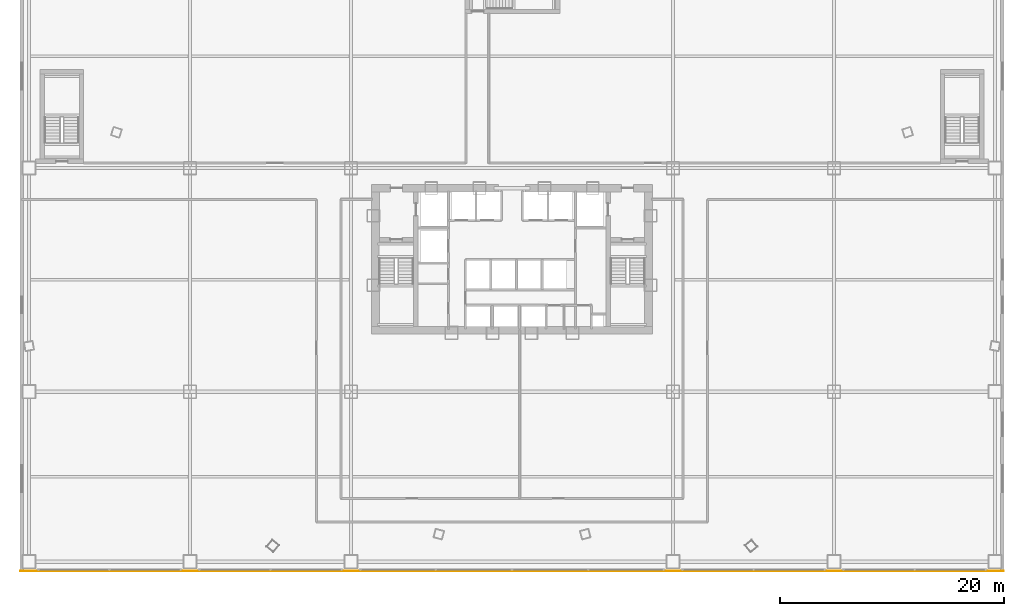
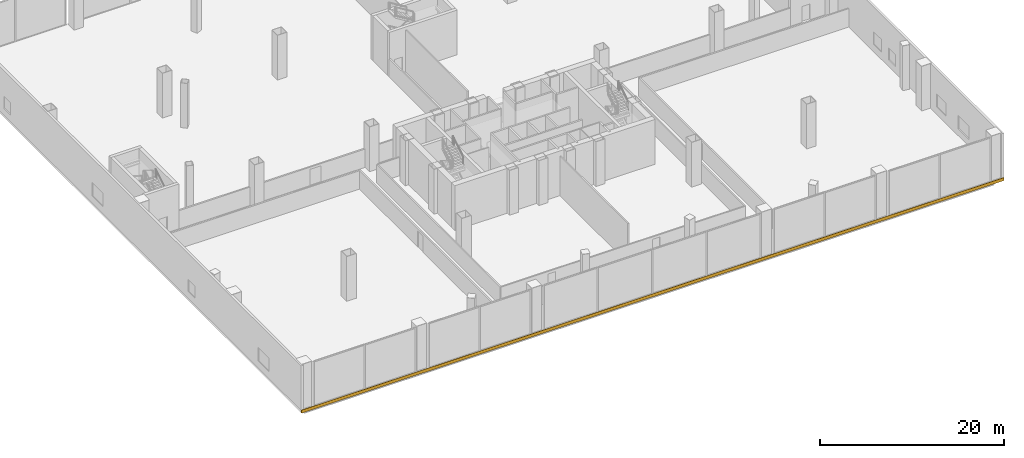
# One storey, part 38 of 41: 1 covering.
"""IFC4 building model written with IfcOpenShell, lengths in metres."""

from ifc_helpers import new_model, si_unit, direction, frame, origin, origin_2d, place, context, subcontext, project, spatial, rectangle, extrude, source, transform, mapped, material, layer, layer_set, type_object, element, save


model = new_model("IFC4")

# Units and contexts
model_context = context("Model", 3, precision=1e-05, world=origin(), true_north=direction((0.0, 1.0)))
body_context = subcontext(model_context, "Body", "Model", "MODEL_VIEW")
ifc_project = project(units=[si_unit("LENGTHUNIT", "METRE"), si_unit("AREAUNIT", "SQUARE_METRE"), si_unit("VOLUMEUNIT", "CUBIC_METRE"), si_unit("PLANEANGLEUNIT", "RADIAN"), si_unit("MASSUNIT", "GRAM", prefix="KILO"), si_unit("THERMODYNAMICTEMPERATUREUNIT", "KELVIN"), si_unit("POWERUNIT", "WATT")], contexts=[model_context])

# Site, building, storey
site_placement = place(None, origin())
site = spatial("IfcSite", under=ifc_project, at=site_placement, CompositionType="ELEMENT")
building_placement = place(site_placement, origin())
building = spatial("IfcBuilding", under=site, at=building_placement, Name="Yunzhuo Pagoda Commons", CompositionType="ELEMENT")
storey_placement = place(building_placement, frame((0.0, 0.0, 19.199951171875)))
storey = spatial("IfcBuildingStorey", under=building, at=storey_placement, Name="L05", CompositionType="ELEMENT", Elevation=19.199951171875)

# Covering
ifc_material = material(Name="Anodized aluminium 6063-T6", Category="aluminium")
ifc_layer = layer(ifc_material, 0.0400390625)
ifc_layer_set = layer_set([ifc_layer], Name="Anodized aluminium 6063-T6")
covering_type = type_object("IfcCoveringType", Name="COV-CLD1 Anodized Podium Fascia Cladding", PredefinedType="CLADDING", material=ifc_layer_set)
shared_shape = source(origin(), body_context, "Body", "SweptSolid", [
    extrude(rectangle(XDim=88.0, YDim=0.0400390625, at=origin_2d()), origin(), (0.0, 0.0, 1.0), 0.39990234375),
])
covering_placement = place(storey_placement, frame((48.0, 5.97998046875, -0.33984375), z_axis=(0.0, 0.0, 1.0), x_axis=(1.0, 0.0, 0.0)))
element("IfcCovering", 1, at=covering_placement, inside=storey, type_object=covering_type, Name="L05 south podium fascia cladding", PredefinedType="CLADDING", context=body_context, shape_type="MappedRepresentation", body=[
    mapped(shared_shape, transform((0.0, 0.0, 0.0), scale=1.0)),
])

save(model, "model.ifc")
